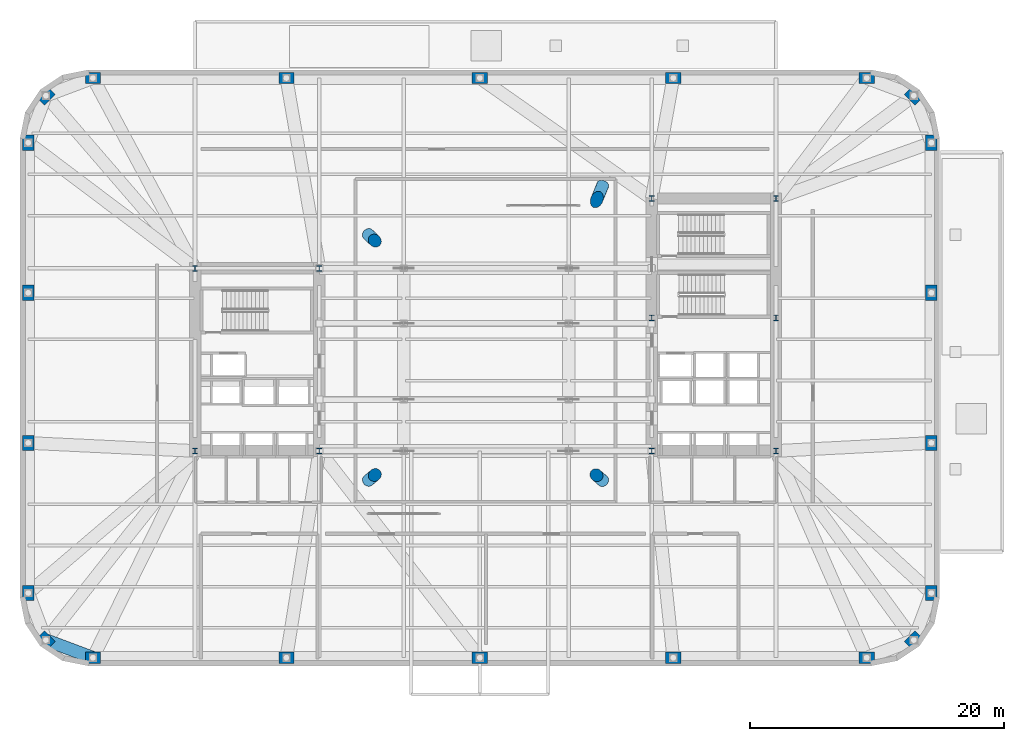
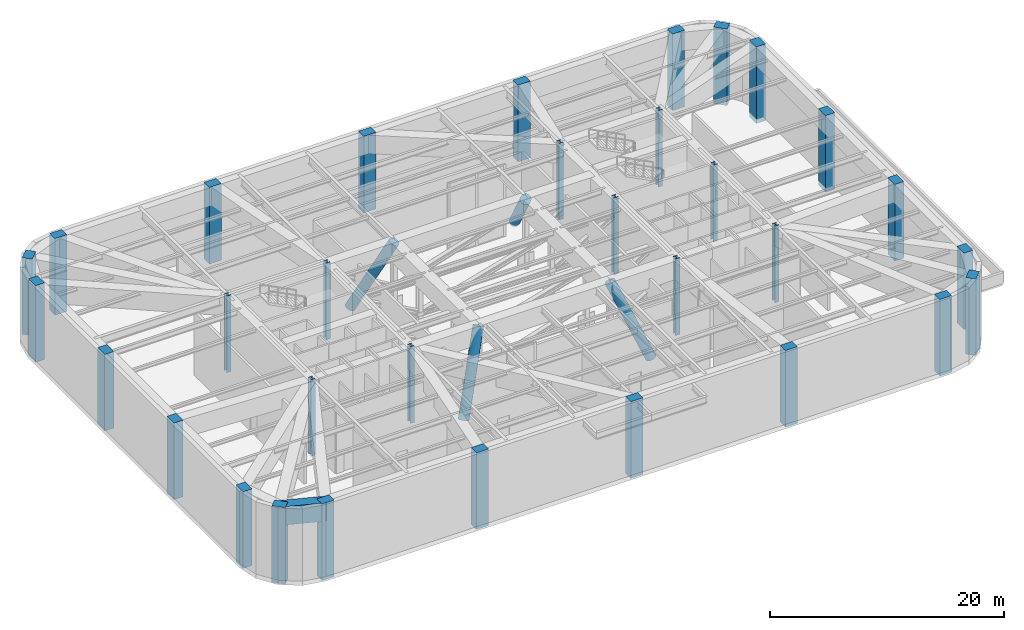
# One storey, part 1 of 15: 36 columns, 1 beam.
"""IFC4 building model written with IfcOpenShell, lengths in metres."""

from ifc_helpers import new_model, si_unit, direction, frame, origin, origin_2d, place, context, subcontext, project, spatial, rectangle, hollow_rectangle, circle, i_section, extrude, material, material_profile, profile_set, type_object, element, save


model = new_model("IFC4")

# Units and contexts
model_context = context("Model", 3, precision=1e-05, world=origin(), true_north=direction((0.0, 1.0)))
body_context = subcontext(model_context, "Body", "Model", "MODEL_VIEW")
ifc_project = project(units=[si_unit("LENGTHUNIT", "METRE"), si_unit("AREAUNIT", "SQUARE_METRE"), si_unit("VOLUMEUNIT", "CUBIC_METRE"), si_unit("PLANEANGLEUNIT", "RADIAN"), si_unit("MASSUNIT", "GRAM", prefix="KILO")], contexts=[model_context])

# Site, building, storey
site_placement = place(None, origin())
site = spatial("IfcSite", under=ifc_project, at=site_placement, CompositionType="ELEMENT")
building_placement = place(site_placement, origin())
building = spatial("IfcBuilding", under=site, at=building_placement, Name="Kolvaren Arena Tower", CompositionType="ELEMENT")
storey_placement = place(building_placement, frame((0.0, 0.0, 34.0)))
storey = spatial("IfcBuildingStorey", under=building, at=storey_placement, Name="L06", CompositionType="ELEMENT", Elevation=34.0)

# Columns
ifc_material_1 = material(Name="Precast concrete C70/85", Category="concrete")
ifc_material_profile_1 = material_profile(ifc_material_1, rectangle(XDim=1.199951171875, YDim=0.89990234375, at=origin_2d()), Name="RC-1200x900")
ifc_profile_set_1 = profile_set([ifc_material_profile_1], Name="Precast concrete C70/85")
column_type_1 = type_object("IfcColumnType", Name="EXCOL-Z1", PredefinedType="COLUMN", material=ifc_profile_set_1)
for number, where, z_axis, x_axis, name in (
    (1, (6.5, 3.14990234375, -0.449951171875), (0.0, 0.0, 1.0), (1.0, 0.0, 0.0), "Transfer Deck Perimeter Column 01 (L06)"),
    (2, (21.75, 3.14990234375, -0.449951171875), (0.0, 0.0, 1.0), (1.0, 0.0, 0.0), "Transfer Deck Perimeter Column 02 (L06)"),
    (3, (37.0, 3.14990234375, -0.449951171875), (0.0, 0.0, 1.0), (1.0, 0.0, 0.0), "Transfer Deck Perimeter Column 03 (L06)"),
    (4, (52.25, 3.14990234375, -0.449951171875), (0.0, 0.0, 1.0), (1.0, 0.0, 0.0), "Transfer Deck Perimeter Column 04 (L06)"),
    (5, (67.5, 3.14990234375, -0.449951171875), (0.0, 0.0, 1.0), (1.0, 0.0, 0.0), "Transfer Deck Perimeter Column 05 (L06)"),
    (6, (71.208740234375, 4.541259765625, -0.449951171875), (0.0, 0.0, 1.0), (0.707106781187, 0.707106781187, 0.0), "Transfer Deck Perimeter Column 06 (L06)"),
    (7, (72.60009765625, 8.25, -0.449951171875), (0.0, 0.0, 1.0), (0.0, 1.0, 0.0), "Transfer Deck Perimeter Column 07 (L06)"),
    (8, (72.60009765625, 20.083251953125, -0.449951171875), (0.0, 0.0, 1.0), (0.0, 1.0, 0.0), "Transfer Deck Perimeter Column 08 (L06)"),
    (9, (72.60009765625, 31.916748046875, -0.449951171875), (0.0, 0.0, 1.0), (0.0, 1.0, 0.0), "Transfer Deck Perimeter Column 09 (L06)"),
    (10, (72.60009765625, 43.75, -0.449951171875), (0.0, 0.0, 1.0), (0.0, 1.0, 0.0), "Transfer Deck Perimeter Column 10 (L06)"),
    (11, (71.208740234375, 47.458740234375, -0.449951171875), (0.0, 0.0, 1.0), (-0.707106781187, 0.707106781187, 0.0), "Transfer Deck Perimeter Column 11 (L06)"),
    (12, (67.5, 48.85009765625, -0.449951171875), (0.0, 0.0, 1.0), (1.0, 0.0, 0.0), "Transfer Deck Perimeter Column 12 (L06)"),
    (13, (52.25, 48.85009765625, -0.449951171875), (0.0, 0.0, 1.0), (1.0, 0.0, 0.0), "Transfer Deck Perimeter Column 13 (L06)"),
    (14, (37.0, 48.85009765625, -0.449951171875), (0.0, 0.0, 1.0), (1.0, 0.0, 0.0), "Transfer Deck Perimeter Column 14 (L06)"),
    (15, (21.75, 48.85009765625, -0.449951171875), (0.0, 0.0, 1.0), (1.0, 0.0, 0.0), "Transfer Deck Perimeter Column 15 (L06)"),
    (16, (6.5, 48.85009765625, -0.449951171875), (0.0, 0.0, 1.0), (1.0, 0.0, 0.0), "Transfer Deck Perimeter Column 16 (L06)"),
    (17, (2.791259765625, 47.458740234375, -0.449951171875), (0.0, 0.0, 1.0), (0.707106781187, 0.707106781187, 0.0), "Transfer Deck Perimeter Column 17 (L06)"),
    (18, (1.39990234375, 43.75, -0.449951171875), (0.0, 0.0, 1.0), (0.0, 1.0, 0.0), "Transfer Deck Perimeter Column 18 (L06)"),
    (19, (1.39990234375, 31.916748046875, -0.449951171875), (0.0, 0.0, 1.0), (0.0, 1.0, 0.0), "Transfer Deck Perimeter Column 19 (L06)"),
    (20, (1.39990234375, 20.083251953125, -0.449951171875), (0.0, 0.0, 1.0), (0.0, 1.0, 0.0), "Transfer Deck Perimeter Column 20 (L06)"),
    (21, (1.39990234375, 8.25, -0.449951171875), (0.0, 0.0, 1.0), (0.0, 1.0, 0.0), "Transfer Deck Perimeter Column 21 (L06)"),
    (22, (2.791259765625, 4.541259765625, -0.449951171875), (0.0, 0.0, 1.0), (-0.707106781187, 0.707106781187, 0.0), "Transfer Deck Perimeter Column 22 (L06)"),
):
    element("IfcColumn", number, at=place(storey_placement, frame(where, z_axis=z_axis, x_axis=x_axis)), inside=storey, type_object=column_type_1, Name=name, PredefinedType="COLUMN", context=body_context, shape_type="SweptSolid", body=[
        extrude(rectangle(XDim=1.199951171875, YDim=0.89990234375, at=origin_2d()), origin(), (0.0, 0.0, 1.0), 8.0),
    ])
ifc_material_2 = material(Name="Steel ASTM A913 Grade 65", Category="steel")
ifc_material_profile_2 = material_profile(ifc_material_2, i_section(OverallWidth=0.424072265625, OverallDepth=0.47412109375, WebThickness=0.047607421875, FlangeThickness=0.076904296875, FilletRadius=0.02001953125, at=origin_2d()), Name="W360x634")
ifc_profile_set_2 = profile_set([ifc_material_profile_2], Name="Steel ASTM A913 Grade 65")
column_type_2 = type_object("IfcColumnType", Name="SCOL-Z1", PredefinedType="COLUMN", material=ifc_profile_set_2)
for number, where, z_axis, x_axis, name in (
    (23, (14.550048828125, 19.449951171875, -0.449951171875), (0.0, 0.0, 1.0), (1.0, 0.0, 0.0), "Core Boundary Column WC-SW (L06)"),
    (24, (24.35009765625, 19.449951171875, -0.449951171875), (0.0, 0.0, 1.0), (1.0, 0.0, 0.0), "Core Boundary Column WC-SE (L06)"),
    (25, (14.550048828125, 33.85009765625, -0.449951171875), (0.0, 0.0, 1.0), (1.0, 0.0, 0.0), "Core Boundary Column WC-NW (L06)"),
    (26, (24.35009765625, 33.85009765625, -0.449951171875), (0.0, 0.0, 1.0), (1.0, 0.0, 0.0), "Core Boundary Column WC-NE (L06)"),
    (27, (50.550048828125, 19.449951171875, -0.449951171875), (0.0, 0.0, 1.0), (1.0, 0.0, 0.0), "Core Boundary Column EC-SW (L06)"),
    (28, (60.35009765625, 19.449951171875, -0.449951171875), (0.0, 0.0, 1.0), (1.0, 0.0, 0.0), "Core Boundary Column EC-SE (L06)"),
    (29, (50.550048828125, 29.949951171875, -0.449951171875), (0.0, 0.0, 1.0), (1.0, 0.0, 0.0), "Core Boundary Column EC-MW (L06)"),
    (30, (60.35009765625, 29.949951171875, -0.449951171875), (0.0, 0.0, 1.0), (1.0, 0.0, 0.0), "Core Boundary Column EC-ME (L06)"),
    (31, (50.550048828125, 39.35009765625, -0.449951171875), (0.0, 0.0, 1.0), (1.0, 0.0, 0.0), "Core Boundary Column EC-NW (L06)"),
    (32, (60.35009765625, 39.35009765625, -0.449951171875), (0.0, 0.0, 1.0), (1.0, 0.0, 0.0), "Core Boundary Column EC-NE (L06)"),
):
    element("IfcColumn", number, at=place(storey_placement, frame(where, z_axis=z_axis, x_axis=x_axis)), inside=storey, type_object=column_type_2, Name=name, PredefinedType="COLUMN", context=body_context, shape_type="SweptSolid", body=[
        extrude(i_section(OverallWidth=0.424072265625, OverallDepth=0.47412109375, WebThickness=0.047607421875, FlangeThickness=0.076904296875, FilletRadius=0.02001953125, at=origin_2d()), origin(), (0.0, 0.0, 1.0), 8.0),
    ])
ifc_material_3 = material(Name="Concrete 80 MPa", Category="concrete")
ifc_material_profile_3 = material_profile(ifc_material_3, circle(Radius=0.47998046875, at=origin_2d()), Name="RC-CIRC-960")
ifc_profile_set_3 = profile_set([ifc_material_profile_3], Name="Concrete 80 MPa")
column_type_3 = type_object("IfcColumnType", Name="TRCOL-C960", PredefinedType="COLUMN", material=ifc_profile_set_3)
column_1_placement = place(storey_placement, frame((28.199951171875, 17.122314453125, -0.189208984375), z_axis=(0.33663196879, 0.279836881196, 0.899094120496), x_axis=(-0.639254025081, 0.768995638101, 0.0)))
element("IfcColumn", 33, at=column_1_placement, inside=storey, type_object=column_type_3, Name="Mega-Transfer A-Frame Strut Column (SW)", PredefinedType="COLUMN", context=body_context, shape_type="SweptSolid", body=[
    extrude(circle(Radius=0.47998046875, at=origin_2d()), origin(), (0.0, 0.0, 1.0), 8.31787109375),
])
column_2_placement = place(storey_placement, frame((46.699951171875, 17.1044921875, -0.192138671875), z_axis=(-0.32550061671, 0.282763760261, 0.902271580182), x_axis=(-0.655808513487, -0.754927277053, 0.0)))
element("IfcColumn", 34, at=column_2_placement, inside=storey, type_object=column_type_3, Name="Mega-Transfer A-Frame Strut Column (SE)", PredefinedType="COLUMN", context=body_context, shape_type="SweptSolid", body=[
    extrude(circle(Radius=0.47998046875, at=origin_2d()), origin(), (0.0, 0.0, 1.0), 8.294677734375),
])
column_3_placement = place(storey_placement, frame((28.199951171875, 36.52880859375, -0.1787109375), z_axis=(0.333173065494, -0.31873527549, 0.887357612571), x_axis=(0.691277002616, 0.722589859916, 0.0)))
element("IfcColumn", 35, at=column_3_placement, inside=storey, type_object=column_type_3, Name="Mega-Transfer A-Frame Strut Column (NW)", PredefinedType="COLUMN", context=body_context, shape_type="SweptSolid", body=[
    extrude(circle(Radius=0.47998046875, at=origin_2d()), origin(), (0.0, 0.0, 1.0), 8.404296875),
])
column_4_placement = place(storey_placement, frame((46.699951171875, 40.4267578125, -0.069091796875), z_axis=(-0.266118192043, -0.648222430351, 0.713434502007), x_axis=(0.925077995153, -0.379777175306, 0.0)))
element("IfcColumn", 36, at=column_4_placement, inside=storey, type_object=column_type_3, Name="Mega-Transfer A-Frame Strut Column (NE)", PredefinedType="COLUMN", context=body_context, shape_type="SweptSolid", body=[
    extrude(circle(Radius=0.47998046875, at=origin_2d()), origin(), (0.0, 0.0, 1.0), 10.145751953125),
])

# Beam
ifc_material_4 = material(Name="Steel CSA G40.21 350WT", Category="steel")
ifc_material_profile_4 = material_profile(ifc_material_4, hollow_rectangle(XDim=1.0, YDim=1.919921875, WallThickness=0.044921875, at=origin_2d()), Name="BOX 1000x1920x45")
ifc_profile_set_4 = profile_set([ifc_material_profile_4], Name="Steel CSA G40.21 350WT")
beam_type = type_object("IfcBeamType", Name="TG-MEGA", PredefinedType="USERDEFINED", material=ifc_profile_set_4)
beam_placement = place(storey_placement, frame((2.791259765625, 4.541259765625, 6.590087890625), z_axis=(0.93628104365, -0.351251771955, 0.0), x_axis=(0.351251771955, 0.93628104365, 0.0)))
element("IfcBeam", 37, at=beam_placement, inside=storey, type_object=beam_type, Name="B1 Perimeter Transfer Ring Girder 22", ObjectType="TRANSFER GIRDER", PredefinedType="USERDEFINED", context=body_context, shape_type="SweptSolid", body=[
    extrude(hollow_rectangle(XDim=1.0, YDim=1.919921875, WallThickness=0.044921875, at=origin_2d()), origin(), (0.0, 0.0, 1.0), 3.961181640625),
])

save(model, "model.ifc")
